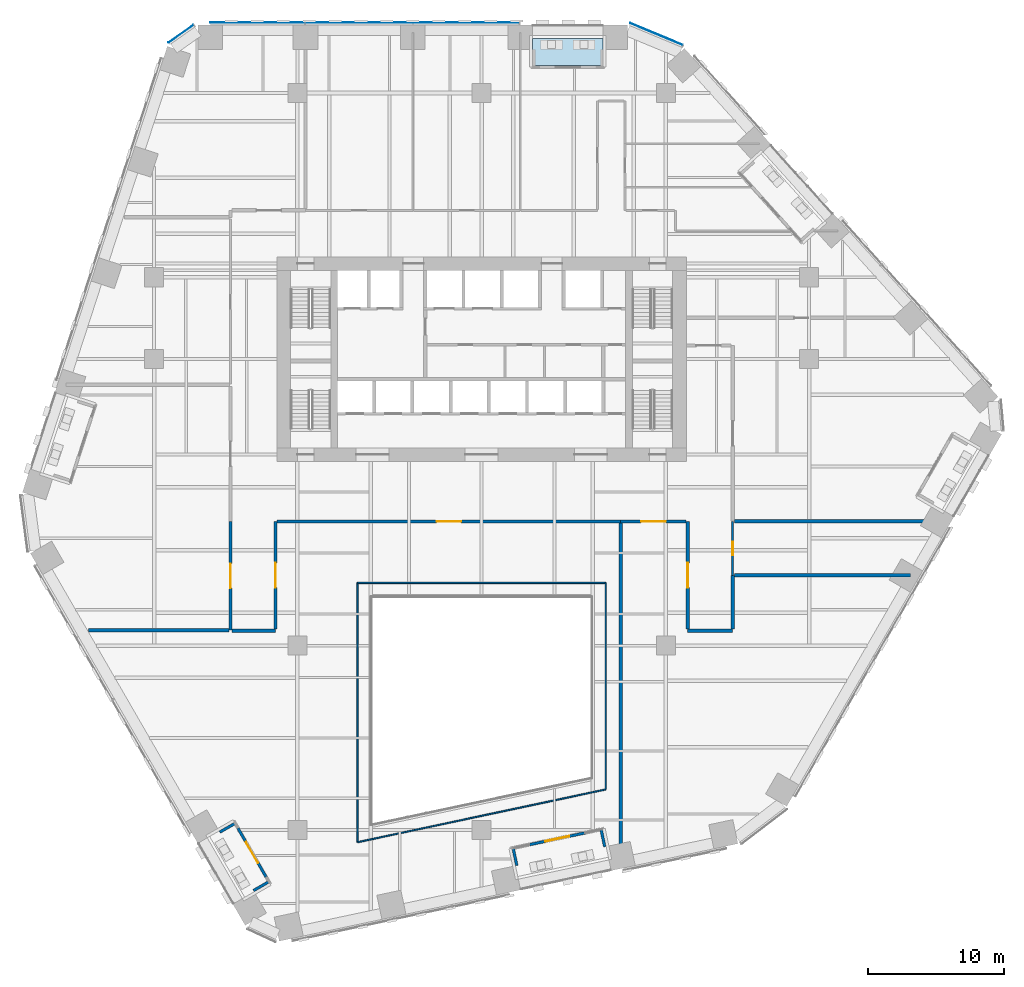
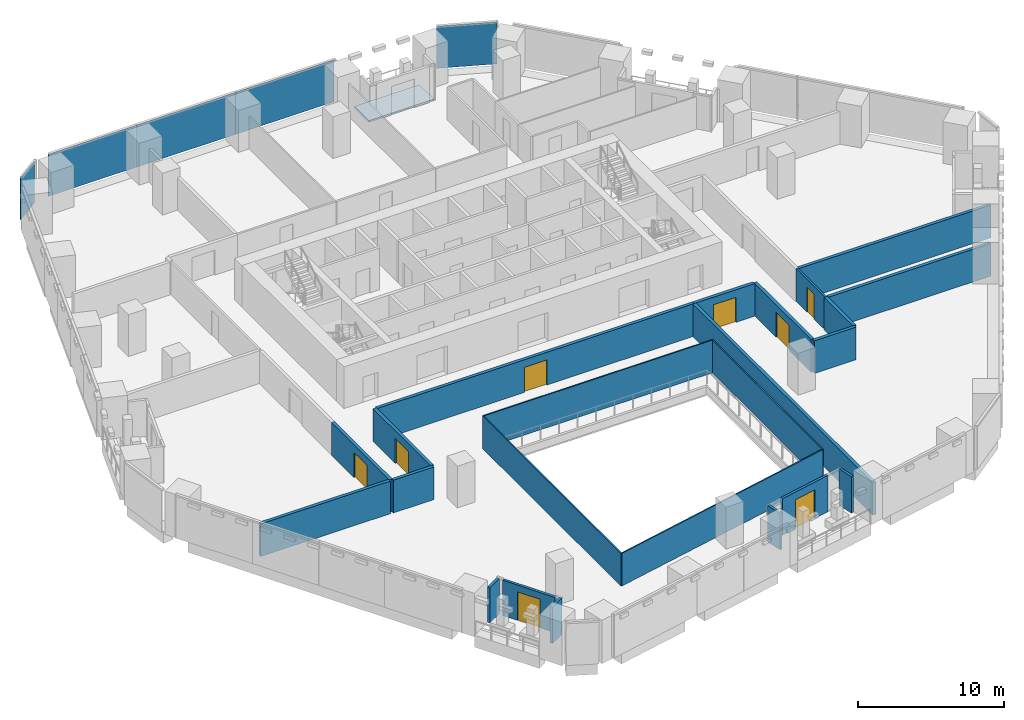
# One storey, part 22 of 31: 23 walls, 8 doors, 5 plates, 1 slab, 8 openings, 3 elements without a shape of their own.
"""IFC4 building model written with IfcOpenShell, lengths in metres."""

from ifc_helpers import new_model, si_unit, direction, frame, frame_2d, origin, origin_2d, place, context, subcontext, project, spatial, polyline, rectangle, outline, extrude, material, layer, layer_set, type_object, element, fill, aggregate, save


model = new_model("IFC4")

# Units and contexts
model_context = context("Model", 3, precision=1e-05, world=origin(), true_north=direction((0.0, 1.0)))
body_context = subcontext(model_context, "Body", "Model", "MODEL_VIEW")
ifc_project = project(units=[si_unit("LENGTHUNIT", "METRE"), si_unit("AREAUNIT", "SQUARE_METRE"), si_unit("VOLUMEUNIT", "CUBIC_METRE"), si_unit("PLANEANGLEUNIT", "RADIAN"), si_unit("MASSUNIT", "GRAM", prefix="KILO")], contexts=[model_context])

# Site, building, storey
site_placement = place(None, origin())
site = spatial("IfcSite", under=ifc_project, at=site_placement, CompositionType="ELEMENT")
building_placement = place(site_placement, origin())
building = spatial("IfcBuilding", under=site, at=building_placement, Name="Isthmus Gate Tower", CompositionType="ELEMENT")
storey_placement = place(building_placement, frame((0.0, 0.0, 39.64990234375)))
storey = spatial("IfcBuildingStorey", under=building, at=storey_placement, Name="L07", CompositionType="ELEMENT", Elevation=39.64990234375)

# Curtain wall, plates
ifc_material_1 = material(Name="Aluminium, pale champagne anodised", Category="aluminium")
ifc_layer_1 = layer(ifc_material_1, 0.199951171875)
ifc_layer_set_1 = layer_set([ifc_layer_1], Name="CW-1 UNITISED CURTAIN WALL 200 DEEP")
curtain_wall_type = type_object("IfcCurtainWallType", Name="CW-1 UNITISED CURTAIN WALL 200 DEEP", PredefinedType="NOTDEFINED", material=ifc_layer_set_1)
curtain_wall_1_placement = place(storey_placement, origin())
curtain_wall_1 = element("IfcCurtainWall", 1, at=curtain_wall_1_placement, inside=storey, type_object=curtain_wall_type, Name="CW-1 N L07", PredefinedType="NOTDEFINED")
ifc_material_2 = material(Name="Laminated low-iron glass, pale blue tint", Category="glass")
ifc_layer_2 = layer(ifc_material_2, 0.0400390625)
ifc_layer_set_2 = layer_set([ifc_layer_2], Name="CW-1 CLEAR GLASS LITE 40")
plate_type = type_object("IfcPlateType", Name="CW-1 CLEAR GLASS LITE 40", PredefinedType="CURTAIN_PANEL", material=ifc_layer_set_2)
plate_1_placement = place(storey_placement, frame((-1.13232421875, 32.179931640625, 0.0), z_axis=(0.0, 0.0, 1.0), x_axis=(-1.0, 0.0, 0.0)))
plate_1 = element("IfcPlate", 2, at=plate_1_placement, type_object=plate_type, Name="CW-1 glass lite", PredefinedType="CURTAIN_PANEL", context=body_context, shape_type="SweptSolid", body=[
    extrude(rectangle(XDim=7.8095703125, YDim=0.0400390625, at=origin_2d()), origin(), (0.0, 0.0, 1.0), 3.5),
])
plate_2_placement = place(storey_placement, frame((-8.971923828125, 32.179931640625, 0.0), z_axis=(0.0, 0.0, 1.0), x_axis=(-1.0, 0.0, 0.0)))
plate_2 = element("IfcPlate", 3, at=plate_2_placement, type_object=plate_type, Name="CW-1 glass lite", PredefinedType="CURTAIN_PANEL", context=body_context, shape_type="SweptSolid", body=[
    extrude(rectangle(XDim=7.86962890625, YDim=0.0400390625, at=origin_2d()), origin(), (0.0, 0.0, 1.0), 3.5),
])
plate_3_placement = place(storey_placement, frame((-16.42138671875, 32.179931640625, 0.0), z_axis=(0.0, 0.0, 1.0), x_axis=(-1.0, 0.0, 0.0)))
plate_3 = element("IfcPlate", 4, at=plate_3_placement, type_object=plate_type, Name="CW-1 glass lite", PredefinedType="CURTAIN_PANEL", context=body_context, shape_type="SweptSolid", body=[
    extrude(rectangle(XDim=6.909423828125, YDim=0.0400390625, at=origin_2d()), origin(), (0.0, 0.0, 1.0), 3.5),
])
aggregate(curtain_wall_1, [plate_1, plate_2, plate_3])

# Curtain wall, plate
curtain_wall_2_placement = place(storey_placement, origin())
curtain_wall_2 = element("IfcCurtainWall", 5, at=curtain_wall_2_placement, inside=storey, type_object=curtain_wall_type, Name="CW-1 N-NW L07", PredefinedType="NOTDEFINED")
plate_4_placement = place(storey_placement, frame((-22.025146484375, 31.341552734375, 0.0), z_axis=(0.0, 0.0, 1.0), x_axis=(-0.81785959165, -0.57541783805, 0.0)))
plate_4 = element("IfcPlate", 6, at=plate_4_placement, type_object=plate_type, Name="CW-1 glass lite", PredefinedType="CURTAIN_PANEL", context=body_context, shape_type="SweptSolid", body=[
    extrude(rectangle(XDim=2.258544921875, YDim=0.0400390625, at=origin_2d()), origin(), (0.0, 0.0, 1.0), 3.5),
])
aggregate(curtain_wall_2, [plate_4])

curtain_wall_3_placement = place(storey_placement, origin())
curtain_wall_3 = element("IfcCurtainWall", 7, at=curtain_wall_3_placement, inside=storey, type_object=curtain_wall_type, Name="CW-1 NE-N L07", PredefinedType="NOTDEFINED")
plate_5_placement = place(storey_placement, frame((12.816650390625, 31.315673828125, 0.0), z_axis=(0.0, 0.0, 1.0), x_axis=(-0.923353128387, 0.383951820282, 0.0)))
plate_5 = element("IfcPlate", 8, at=plate_5_placement, type_object=plate_type, Name="CW-1 glass lite", PredefinedType="CURTAIN_PANEL", context=body_context, shape_type="SweptSolid", body=[
    extrude(rectangle(XDim=4.181396484375, YDim=0.0400390625, at=origin_2d()), origin(), (0.0, 0.0, 1.0), 3.5),
])
aggregate(curtain_wall_3, [plate_5])

# Slab
ifc_material_3 = material(Name="Concrete f'c 50 MPa", Category="concrete")
ifc_layer_3 = layer(ifc_material_3, 0.14990234375)
ifc_layer_set_3 = layer_set([ifc_layer_3], Name="LOGGIA FLOOR SLAB 150")
slab_type = type_object("IfcSlabType", Name="LOGGIA FLOOR SLAB 150", PredefinedType="FLOOR", material=ifc_layer_set_3)
slab_placement = place(storey_placement, frame((0.0, 0.0, -0.14990234375)))
element("IfcSlab", 9, at=slab_placement, inside=storey, type_object=slab_type, Name="LOGGIA FLOOR", PredefinedType="FLOOR", context=body_context, shape_type="SweptSolid", body=[
    extrude(outline(polyline([(8.90185546875, 31.0), (3.732421875, 31.0), (3.732421875, 29.0), (8.90185546875, 29.0), (8.90185546875, 31.0)])), origin(), (0.0, 0.0, 1.0), 0.14990234375),
])

# Wall, opening, door
ifc_material_4 = material(Name="Double-leaf acoustic stud wall, fire-rated", Category="gypsum")
ifc_layer_4 = layer(ifc_material_4, 0.25)
ifc_layer_set_4 = layer_set([ifc_layer_4], Name="ACOUSTIC WALL 250 60 MIN")
wall_type_1 = type_object("IfcWallType", Name="ACOUSTIC WALL 250 60 MIN", PredefinedType="PARTITIONING", material=ifc_layer_set_4)
wall_1_placement = place(storey_placement, frame((10.19189453125, -4.39990234375, 0.0), z_axis=(0.0, 0.0, 1.0), x_axis=(-1.0, 0.0, 0.0)))
wall_1 = element("IfcWall", 10, at=wall_1_placement, inside=storey, type_object=wall_type_1, Name="L07 Acoustic Wall 250 60 Min", PredefinedType="PARTITIONING", context=body_context, shape_type="SweptSolid", body=[
    extrude(rectangle(XDim=25.1669921875, YDim=0.25, at=frame_2d((12.58349609375, 0.0))), origin(), (0.0, 0.0, 1.0), 2.7412109375),
])
opening_1_placement = place(wall_1_placement, frame((11.696044921875, 0.0, 0.0)))
opening_1 = element("IfcOpeningElement", 11, at=opening_1_placement, cuts=wall_1, Name="Opening DT-T1A-14", PredefinedType="OPENING", context=body_context, shape_type="SweptSolid", body=[
    extrude(rectangle(XDim=1.800048828125, YDim=2.10009765625, at=frame_2d((0.89990234375, 1.050048828125))), frame((0.0, 0.135009765625, 0.0), z_axis=(0.0, -1.0, 0.0), x_axis=(1.0, 0.0, 0.0)), (0.0, 0.0, 1.0), 0.27001953125),
])
ifc_material_5 = material(Name="Solid core timber door leaf, fire-rated", Category="wood")
door_type_1 = type_object("IfcDoorType", Name="FIRE DOOR ACOUSTIC ROOM 1800 X 2100 60 MIN", OperationType="DOUBLE_DOOR_DOUBLE_SWING", PredefinedType="DOOR", material=ifc_material_5)
door_1_placement = place(opening_1_placement, origin())
door_1 = element("IfcDoor", 12, at=door_1_placement, inside=storey, type_object=door_type_1, Name="L07 room door", OperationType="DOUBLE_DOOR_DOUBLE_SWING", OverallHeight=2.10009765625, OverallWidth=1.800048828125, PredefinedType="DOOR", context=body_context, shape_type="SweptSolid", body=[
    extrude(rectangle(XDim=1.800048828125, YDim=2.10009765625, at=frame_2d((0.89990234375, 1.050048828125))), frame((0.0, 0.02490234375, 0.0), z_axis=(0.0, -1.0, 0.0), x_axis=(1.0, 0.0, 0.0)), (0.0, 0.0, 1.0), 0.050048828125),
])
fill(opening_1, door_1)

wall_2_placement = place(storey_placement, frame((14.97509765625, -4.39990234375, 0.0), z_axis=(0.0, 0.0, 1.0), x_axis=(-1.0, 0.0, 0.0)))
wall_2 = element("IfcWall", 13, at=wall_2_placement, inside=storey, type_object=wall_type_1, Name="L07 Acoustic Wall 250 60 Min", PredefinedType="PARTITIONING", context=body_context, shape_type="SweptSolid", body=[
    extrude(rectangle(XDim=4.783203125, YDim=0.25, at=frame_2d((2.3916015625, 0.0))), origin(), (0.0, 0.0, 1.0), 2.7412109375),
])
opening_2_placement = place(wall_2_placement, frame((1.47900390625, 0.0, 0.0)))
opening_2 = element("IfcOpeningElement", 14, at=opening_2_placement, cuts=wall_2, Name="Opening DT-T1A-17", PredefinedType="OPENING", context=body_context, shape_type="SweptSolid", body=[
    extrude(rectangle(XDim=1.800048828125, YDim=2.10009765625, at=frame_2d((0.89990234375, 1.050048828125))), frame((0.0, 0.135009765625, 0.0), z_axis=(0.0, -1.0, 0.0), x_axis=(1.0, 0.0, 0.0)), (0.0, 0.0, 1.0), 0.27001953125),
])
door_2_placement = place(opening_2_placement, origin())
door_2 = element("IfcDoor", 15, at=door_2_placement, inside=storey, type_object=door_type_1, Name="L07 room door", OperationType="DOUBLE_DOOR_DOUBLE_SWING", OverallHeight=2.10009765625, OverallWidth=1.800048828125, PredefinedType="DOOR", context=body_context, shape_type="SweptSolid", body=[
    extrude(rectangle(XDim=1.800048828125, YDim=2.10009765625, at=frame_2d((0.89990234375, 1.050048828125))), frame((0.0, 0.02490234375, 0.0), z_axis=(0.0, -1.0, 0.0), x_axis=(1.0, 0.0, 0.0)), (0.0, 0.0, 1.0), 0.050048828125),
])
fill(opening_2, door_2)

# Wall
wall_3_placement = place(storey_placement, frame((-15.10009765625, -12.39990234375, 0.0), z_axis=(0.0, 0.0, 1.0), x_axis=(-1.0, 0.0, 0.0)))
element("IfcWall", 16, at=wall_3_placement, inside=storey, type_object=wall_type_1, Name="L07 Acoustic Wall 250 60 Min", PredefinedType="PARTITIONING", context=body_context, shape_type="SweptSolid", body=[
    extrude(rectangle(XDim=3.201904296875, YDim=0.25, at=frame_2d((1.60107421875, 0.0))), origin(), (0.0, 0.0, 1.0), 2.7412109375),
])

# Wall, opening, door
wall_4_placement = place(storey_placement, frame((-15.10009765625, -4.39990234375, 0.0), z_axis=(0.0, 0.0, 1.0), x_axis=(0.0, -1.0, 0.0)))
wall_4 = element("IfcWall", 17, at=wall_4_placement, inside=storey, type_object=wall_type_1, Name="L07 Acoustic Wall 250 60 Min", PredefinedType="PARTITIONING", context=body_context, shape_type="SweptSolid", body=[
    extrude(rectangle(XDim=7.875, YDim=0.25, at=frame_2d((3.9375, 0.0))), origin(), (0.0, 0.0, 1.0), 2.7412109375),
])
opening_3_placement = place(wall_4_placement, frame((3.03759765625, 0.0, 0.0)))
opening_3 = element("IfcOpeningElement", 18, at=opening_3_placement, cuts=wall_4, Name="Opening DT-T1A-15", PredefinedType="OPENING", context=body_context, shape_type="SweptSolid", body=[
    extrude(rectangle(XDim=1.800048828125, YDim=2.10009765625, at=frame_2d((0.89990234375, 1.050048828125))), frame((0.0, 0.135009765625, 0.0), z_axis=(0.0, -1.0, 0.0), x_axis=(1.0, 0.0, 0.0)), (0.0, 0.0, 1.0), 0.27001953125),
])
door_3_placement = place(opening_3_placement, origin())
door_3 = element("IfcDoor", 19, at=door_3_placement, inside=storey, type_object=door_type_1, Name="L07 room door", OperationType="DOUBLE_DOOR_DOUBLE_SWING", OverallHeight=2.10009765625, OverallWidth=1.800048828125, PredefinedType="DOOR", context=body_context, shape_type="SweptSolid", body=[
    extrude(rectangle(XDim=1.800048828125, YDim=2.10009765625, at=frame_2d((0.89990234375, 1.050048828125))), frame((0.0, 0.02490234375, 0.0), z_axis=(0.0, -1.0, 0.0), x_axis=(1.0, 0.0, 0.0)), (0.0, 0.0, 1.0), 0.050048828125),
])
fill(opening_3, door_3)

# Walls
wall_5_placement = place(storey_placement, frame((18.39990234375, -12.39990234375, 0.0), z_axis=(0.0, 0.0, 1.0), x_axis=(-1.0, 0.0, 0.0)))
element("IfcWall", 20, at=wall_5_placement, inside=storey, type_object=wall_type_1, Name="L07 Acoustic Wall 250 60 Min", PredefinedType="PARTITIONING", context=body_context, shape_type="SweptSolid", body=[
    extrude(rectangle(XDim=3.2998046875, YDim=0.25, at=frame_2d((1.64990234375, 0.0))), origin(), (0.0, 0.0, 1.0), 2.7412109375),
])
wall_6_placement = place(storey_placement, frame((18.402099609375, -8.35009765625, 0.0), z_axis=(0.0, 0.0, 1.0), x_axis=(-0.000497636166, -0.999999876179, 0.0)))
element("IfcWall", 21, at=wall_6_placement, inside=storey, type_object=wall_type_1, Name="L07 Acoustic Wall 250 60 Min", PredefinedType="PARTITIONING", context=body_context, shape_type="SweptSolid", body=[
    extrude(rectangle(XDim=3.9248046875, YDim=0.25, at=frame_2d((1.96240234375, 0.0))), origin(), (0.0, 0.0, 1.0), 2.7412109375),
])
wall_7_placement = place(storey_placement, frame((18.52490234375, -4.3720703125, 0.0), z_axis=(0.0, 0.0, 1.0), x_axis=(1.0, 0.0, 0.0)))
element("IfcWall", 22, at=wall_7_placement, inside=storey, type_object=wall_type_1, Name="L07 Acoustic Wall 250 60 Min", PredefinedType="PARTITIONING", context=body_context, shape_type="SweptSolid", body=[
    extrude(rectangle(XDim=15.2080078125, YDim=0.25, at=frame_2d((7.60400390625, 0.0))), origin(), (0.0, 0.0, 1.0), 2.7412109375),
])

# Wall, opening, door
wall_8_placement = place(storey_placement, frame((-18.402099609375, -12.3515625, 0.0), z_axis=(0.0, 0.0, 1.0), x_axis=(0.0, 1.0, 0.0)))
wall_8 = element("IfcWall", 23, at=wall_8_placement, inside=storey, type_object=wall_type_1, Name="L07 Acoustic Wall 250 60 Min", PredefinedType="PARTITIONING", context=body_context, shape_type="SweptSolid", body=[
    extrude(rectangle(XDim=7.95361328125, YDim=0.25, at=frame_2d((3.976806640625, 0.0))), origin(), (0.0, 0.0, 1.0), 2.7412109375),
])
opening_4_placement = place(wall_8_placement, frame((3.06591796875, 0.0, 0.0)))
opening_4 = element("IfcOpeningElement", 24, at=opening_4_placement, cuts=wall_8, Name="Opening DT-T1A-12", PredefinedType="OPENING", context=body_context, shape_type="SweptSolid", body=[
    extrude(rectangle(XDim=1.800048828125, YDim=2.10009765625, at=frame_2d((0.89990234375, 1.050048828125))), frame((0.0, 0.135009765625, 0.0), z_axis=(0.0, -1.0, 0.0), x_axis=(1.0, 0.0, 0.0)), (0.0, 0.0, 1.0), 0.27001953125),
])
door_4_placement = place(opening_4_placement, origin())
door_4 = element("IfcDoor", 25, at=door_4_placement, inside=storey, type_object=door_type_1, Name="L07 room door", OperationType="DOUBLE_DOOR_DOUBLE_SWING", OverallHeight=2.10009765625, OverallWidth=1.800048828125, PredefinedType="DOOR", context=body_context, shape_type="SweptSolid", body=[
    extrude(rectangle(XDim=1.800048828125, YDim=2.10009765625, at=frame_2d((0.89990234375, 1.050048828125))), frame((0.0, 0.02490234375, 0.0), z_axis=(0.0, -1.0, 0.0), x_axis=(1.0, 0.0, 0.0)), (0.0, 0.0, 1.0), 0.050048828125),
])
fill(opening_4, door_4)

# Walls
wall_9_placement = place(storey_placement, frame((-28.81396484375, -12.373046875, 0.0), z_axis=(0.0, 0.0, 1.0), x_axis=(1.0, 0.0, 0.0)))
element("IfcWall", 26, at=wall_9_placement, inside=storey, type_object=wall_type_1, Name="L07 Acoustic Wall 250 60 Min", PredefinedType="PARTITIONING", context=body_context, shape_type="SweptSolid", body=[
    extrude(rectangle(XDim=10.286865234375, YDim=0.25, at=frame_2d((5.1435546875, 0.0))), origin(), (0.0, 0.0, 1.0), 2.7412109375),
])
wall_10_placement = place(storey_placement, frame((18.527099609375, -8.35009765625, 0.0), z_axis=(0.0, 0.0, 1.0), x_axis=(1.0, 0.0, 0.0)))
element("IfcWall", 27, at=wall_10_placement, inside=storey, type_object=wall_type_1, Name="L07 Acoustic Wall 250 60 Min", PredefinedType="PARTITIONING", context=body_context, shape_type="SweptSolid", body=[
    extrude(rectangle(XDim=12.909912109375, YDim=0.25, at=frame_2d((6.455078125, 0.0))), origin(), (0.0, 0.0, 1.0), 2.7412109375),
])
wall_11_placement = place(storey_placement, frame((10.19189453125, -29.219970703125, 0.0), z_axis=(0.0, 0.0, 1.0), x_axis=(0.0, 1.0, 0.0)))
element("IfcWall", 28, at=wall_11_placement, inside=storey, type_object=wall_type_1, Name="L07 Acoustic Wall 250 60 Min", PredefinedType="PARTITIONING", context=body_context, shape_type="SweptSolid", body=[
    extrude(rectangle(XDim=24.695068359375, YDim=0.25, at=frame_2d((12.34765625, 0.0))), origin(), (0.0, 0.0, 1.0), 2.7412109375),
])

# Wall, opening, door
wall_12_placement = place(storey_placement, frame((15.10009765625, -12.27490234375, 0.0), z_axis=(0.0, 0.0, 1.0), x_axis=(0.0, 1.0, 0.0)))
wall_12 = element("IfcWall", 29, at=wall_12_placement, inside=storey, type_object=wall_type_1, Name="L07 Acoustic Wall 250 60 Min", PredefinedType="PARTITIONING", context=body_context, shape_type="SweptSolid", body=[
    extrude(rectangle(XDim=7.875, YDim=0.25, at=frame_2d((3.9375, 0.0))), origin(), (0.0, 0.0, 1.0), 2.7412109375),
])
opening_5_placement = place(wall_12_placement, frame((3.03759765625, 0.0, 0.0)))
opening_5 = element("IfcOpeningElement", 30, at=opening_5_placement, cuts=wall_12, Name="Opening DT-T1A-16", PredefinedType="OPENING", context=body_context, shape_type="SweptSolid", body=[
    extrude(rectangle(XDim=1.800048828125, YDim=2.10009765625, at=frame_2d((0.89990234375, 1.050048828125))), frame((0.0, 0.135009765625, 0.0), z_axis=(0.0, -1.0, 0.0), x_axis=(1.0, 0.0, 0.0)), (0.0, 0.0, 1.0), 0.27001953125),
])
door_5_placement = place(opening_5_placement, origin())
door_5 = element("IfcDoor", 31, at=door_5_placement, inside=storey, type_object=door_type_1, Name="L07 room door", OperationType="DOUBLE_DOOR_DOUBLE_SWING", OverallHeight=2.10009765625, OverallWidth=1.800048828125, PredefinedType="DOOR", context=body_context, shape_type="SweptSolid", body=[
    extrude(rectangle(XDim=1.800048828125, YDim=2.10009765625, at=frame_2d((0.89990234375, 1.050048828125))), frame((0.0, 0.02490234375, 0.0), z_axis=(0.0, -1.0, 0.0), x_axis=(1.0, 0.0, 0.0)), (0.0, 0.0, 1.0), 0.050048828125),
])
fill(opening_5, door_5)

# Walls
ifc_material_6 = material(Name="Fire-rated laminated glass in steel frame", Category="steel")
ifc_layer_5 = layer(ifc_material_6, 0.10009765625)
ifc_layer_set_5 = layer_set([ifc_layer_5], Name="ATRIUM SCREEN GLAZED WALL 100 120 MIN")
wall_type_2 = type_object("IfcWallType", Name="ATRIUM SCREEN GLAZED WALL 100 120 MIN", PredefinedType="PARTITIONING", material=ifc_layer_set_5)
wall_13_placement = place(storey_placement, frame((-9.10009765625, -8.89990234375, 0.0), z_axis=(0.0, 0.0, 1.0), x_axis=(1.0, 0.0, 0.0)))
element("IfcWall", 32, at=wall_13_placement, inside=storey, type_object=wall_type_2, Name="L07 atrium screen", PredefinedType="PARTITIONING", context=body_context, shape_type="SweptSolid", body=[
    extrude(rectangle(XDim=18.2001953125, YDim=0.10009765625, at=frame_2d((9.10009765625, 0.0))), origin(), (0.0, 0.0, 1.0), 2.7412109375),
])
wall_14_placement = place(storey_placement, frame((9.10009765625, -8.89990234375, 0.0), z_axis=(0.0, 0.0, 1.0), x_axis=(0.0, -1.0, 0.0)))
element("IfcWall", 33, at=wall_14_placement, inside=storey, type_object=wall_type_2, Name="L07 atrium screen", PredefinedType="PARTITIONING", context=body_context, shape_type="SweptSolid", body=[
    extrude(rectangle(XDim=15.134033203125, YDim=0.10009765625, at=frame_2d((7.56689453125, 0.0))), origin(), (0.0, 0.0, 1.0), 2.7412109375),
])
wall_15_placement = place(storey_placement, frame((9.10009765625, -24.033935546875, 0.0), z_axis=(0.0, 0.0, 1.0), x_axis=(-0.978146710971, -0.207915876778, 0.0)))
element("IfcWall", 34, at=wall_15_placement, inside=storey, type_object=wall_type_2, Name="L07 atrium screen", PredefinedType="PARTITIONING", context=body_context, shape_type="SweptSolid", body=[
    extrude(rectangle(XDim=18.60693359375, YDim=0.10009765625, at=frame_2d((9.303466796875, 0.0))), origin(), (0.0, 0.0, 1.0), 2.7412109375),
])
wall_16_placement = place(storey_placement, frame((-9.10009765625, -27.902587890625, 0.0), z_axis=(0.0, 0.0, 1.0), x_axis=(0.0, 1.0, 0.0)))
element("IfcWall", 35, at=wall_16_placement, inside=storey, type_object=wall_type_2, Name="L07 atrium screen", PredefinedType="PARTITIONING", context=body_context, shape_type="SweptSolid", body=[
    extrude(rectangle(XDim=19.002685546875, YDim=0.10009765625, at=frame_2d((9.50146484375, 0.0))), origin(), (0.0, 0.0, 1.0), 2.7412109375),
])

# Wall, opening, door
ifc_material_7 = material(Name="Gypsum board on steel studs, fire-rated", Category="steel")
ifc_layer_6 = layer(ifc_material_7, 0.14990234375)
ifc_layer_set_6 = layer_set([ifc_layer_6], Name="CORRIDOR WALL 150 60 MIN")
wall_type_3 = type_object("IfcWallType", Name="CORRIDOR WALL 150 60 MIN", PredefinedType="PARTITIONING", material=ifc_layer_set_6)
wall_17_placement = place(storey_placement, frame((18.402099609375, -4.39794921875, 0.0), z_axis=(0.0, 0.0, 1.0), x_axis=(0.0, -1.0, 0.0)))
wall_17 = element("IfcWall", 36, at=wall_17_placement, inside=storey, type_object=wall_type_3, Name="L07 Corridor Wall 150 60 Min", PredefinedType="PARTITIONING", context=body_context, shape_type="SweptSolid", body=[
    extrude(rectangle(XDim=3.9521484375, YDim=0.14990234375, at=frame_2d((1.97607421875, 0.0))), origin(), (0.0, 0.0, 1.0), 2.7412109375),
])
opening_6_placement = place(wall_17_placement, frame((1.47607421875, 0.0, 0.0)))
opening_6 = element("IfcOpeningElement", 37, at=opening_6_placement, cuts=wall_17, Name="Opening DT-T1A-13", PredefinedType="OPENING", context=body_context, shape_type="SweptSolid", body=[
    extrude(rectangle(XDim=1.0, YDim=2.10009765625, at=frame_2d((0.5, 1.050048828125))), frame((0.0, 0.0849609375, 0.0), z_axis=(0.0, -1.0, 0.0), x_axis=(1.0, 0.0, 0.0)), (0.0, 0.0, 1.0), 0.169921875),
])
ifc_material_8 = material(Name="Solid core timber door leaf, fire-rated", Category="wood")
door_type_2 = type_object("IfcDoorType", Name="FIRE DOOR ROOM 1000 X 2100 60 MIN", OperationType="SINGLE_SWING_LEFT", PredefinedType="DOOR", material=ifc_material_8)
door_6_placement = place(opening_6_placement, origin())
door_6 = element("IfcDoor", 38, at=door_6_placement, inside=storey, type_object=door_type_2, Name="L07 room door", OperationType="SINGLE_SWING_RIGHT", OverallHeight=2.10009765625, OverallWidth=1.0, PredefinedType="DOOR", context=body_context, shape_type="SweptSolid", body=[
    extrude(rectangle(XDim=1.0, YDim=2.10009765625, at=frame_2d((0.5, 1.050048828125))), frame((0.0, 0.02490234375, 0.0), z_axis=(0.0, -1.0, 0.0), x_axis=(1.0, 0.0, 0.0)), (0.0, 0.0, 1.0), 0.050048828125),
])
fill(opening_6, door_6)

ifc_material_9 = material(Name="Precast concrete C40/50", Category="concrete")
ifc_layer_7 = layer(ifc_material_9, 0.199951171875)
ifc_layer_set_7 = layer_set([ifc_layer_7], Name="LOGGIA WALL 200")
wall_type_4 = type_object("IfcWallType", Name="LOGGIA WALL 200", PredefinedType="SOLIDWALL", material=ifc_layer_set_7)
wall_18_placement = place(storey_placement, frame((-17.86181640625, -26.862548828125, 0.0), z_axis=(0.0, 0.0, 1.0), x_axis=(0.500004672885, -0.866022705876, 0.0)))
wall_18 = element("IfcWall", 39, at=wall_18_placement, inside=storey, type_object=wall_type_4, Name="LOGGIA BACK WALL", PredefinedType="SOLIDWALL", context=body_context, shape_type="SweptSolid", body=[
    extrude(rectangle(XDim=4.1435546875, YDim=0.199951171875, at=frame_2d((2.07177734375, 0.0))), origin(), (0.0, 0.0, 1.0), 2.966796875),
])
opening_7_placement = place(wall_18_placement, frame((1.171875, 0.0, 0.0)))
opening_7 = element("IfcOpeningElement", 40, at=opening_7_placement, cuts=wall_18, Name="Opening DE07-03", PredefinedType="OPENING", context=body_context, shape_type="SweptSolid", body=[
    extrude(rectangle(XDim=1.800048828125, YDim=2.39990234375, at=frame_2d((0.89990234375, 1.199951171875))), frame((0.0, 0.10986328125, 0.0), z_axis=(0.0, -1.0, 0.0), x_axis=(1.0, 0.0, 0.0)), (0.0, 0.0, 1.0), 0.219970703125),
])
ifc_material_10 = material(Name="Aluminium, pale champagne anodised, laminated glass", Category="aluminium")
door_type_3 = type_object("IfcDoorType", Name="LOGGIA DOOR SLIDING 1800 X 2400", OperationType="DOUBLE_DOOR_SLIDING", PredefinedType="DOOR", material=ifc_material_10)
door_7_placement = place(opening_7_placement, origin())
door_7 = element("IfcDoor", 41, at=door_7_placement, inside=storey, type_object=door_type_3, Name="DOOR DE07-03", OperationType="SINGLE_SWING_LEFT", OverallHeight=2.39990234375, OverallWidth=1.800048828125, PredefinedType="DOOR", context=body_context, shape_type="SweptSolid", body=[
    extrude(rectangle(XDim=1.800048828125, YDim=2.39990234375, at=frame_2d((0.89990234375, 1.199951171875))), frame((0.0, 0.02490234375, 0.0), z_axis=(0.0, -1.0, 0.0), x_axis=(1.0, 0.0, 0.0)), (0.0, 0.0, 1.0), 0.050048828125),
])
fill(opening_7, door_7)

# Walls
wall_19_placement = place(storey_placement, frame((-19.187744140625, -27.166015625, 0.0), z_axis=(0.0, 0.0, 1.0), x_axis=(0.866011447264, 0.500024172624, 0.0)))
element("IfcWall", 42, at=wall_19_placement, inside=storey, type_object=wall_type_4, Name="LOGGIA SIDE WALL", PredefinedType="SOLIDWALL", context=body_context, shape_type="SweptSolid", body=[
    extrude(rectangle(XDim=1.2841796875, YDim=0.199951171875, at=frame_2d((0.64208984375, 0.0))), origin(), (0.0, 0.0, 1.0), 2.966796875),
])
wall_20_placement = place(storey_placement, frame((-16.7158203125, -31.447265625, 0.0), z_axis=(0.0, 0.0, 1.0), x_axis=(0.866011447264, 0.500024172624, 0.0)))
element("IfcWall", 43, at=wall_20_placement, inside=storey, type_object=wall_type_4, Name="LOGGIA SIDE WALL", PredefinedType="SOLIDWALL", context=body_context, shape_type="SweptSolid", body=[
    extrude(rectangle(XDim=1.2841796875, YDim=0.199951171875, at=frame_2d((0.64208984375, 0.0))), origin(), (0.0, 0.0, 1.0), 3.050048828125),
])

# Wall, opening, door
wall_21_placement = place(storey_placement, frame((3.47998046875, -28.091064453125, 0.0), z_axis=(0.0, 0.0, 1.0), x_axis=(0.978143927149, 0.207928972925, 0.0)))
wall_21 = element("IfcWall", 44, at=wall_21_placement, inside=storey, type_object=wall_type_4, Name="LOGGIA BACK WALL", PredefinedType="SOLIDWALL", context=body_context, shape_type="SweptSolid", body=[
    extrude(rectangle(XDim=4.199951171875, YDim=0.199951171875, at=frame_2d((2.10009765625, 0.0))), origin(), (0.0, 0.0, 1.0), 3.050048828125),
])
opening_8_placement = place(wall_21_placement, frame((1.199951171875, 0.0, 0.0)))
opening_8 = element("IfcOpeningElement", 45, at=opening_8_placement, cuts=wall_21, Name="Opening DE07-04", PredefinedType="OPENING", context=body_context, shape_type="SweptSolid", body=[
    extrude(rectangle(XDim=1.800048828125, YDim=2.39990234375, at=frame_2d((0.89990234375, 1.199951171875))), frame((0.0, 0.10986328125, 0.0), z_axis=(0.0, -1.0, 0.0), x_axis=(1.0, 0.0, 0.0)), (0.0, 0.0, 1.0), 0.219970703125),
])
door_8_placement = place(opening_8_placement, origin())
door_8 = element("IfcDoor", 46, at=door_8_placement, inside=storey, type_object=door_type_3, Name="DOOR DE07-04", OperationType="SINGLE_SWING_LEFT", OverallHeight=2.39990234375, OverallWidth=1.800048828125, PredefinedType="DOOR", context=body_context, shape_type="SweptSolid", body=[
    extrude(rectangle(XDim=1.800048828125, YDim=2.39990234375, at=frame_2d((0.89990234375, 1.199951171875))), frame((0.0, 0.02490234375, 0.0), z_axis=(0.0, -1.0, 0.0), x_axis=(1.0, 0.0, 0.0)), (0.0, 0.0, 1.0), 0.050048828125),
])
fill(opening_8, door_8)

# Walls
for number, where, z_axis, x_axis, name in (
    (47, (2.58154296875, -29.611083984375, 0.0), (0.0, 0.0, 1.0), (-0.207840561753, 0.97816271698, 0.0), "LOGGIA SIDE WALL"),
    (48, (9.027099609375, -28.240966796875, 0.0), (0.0, 0.0, 1.0), (-0.20802249271, 0.978124042505, 0.0), "LOGGIA SIDE WALL"),
):
    element("IfcWall", number, at=place(storey_placement, frame(where, z_axis=z_axis, x_axis=x_axis)), inside=storey, type_object=wall_type_4, Name=name, PredefinedType="SOLIDWALL", context=body_context, shape_type="SweptSolid", body=[
        extrude(rectangle(XDim=1.283935546875, YDim=0.199951171875, at=frame_2d((0.64208984375, 0.0))), origin(), (0.0, 0.0, 1.0), 3.050048828125),
    ])

save(model, "model.ifc")
